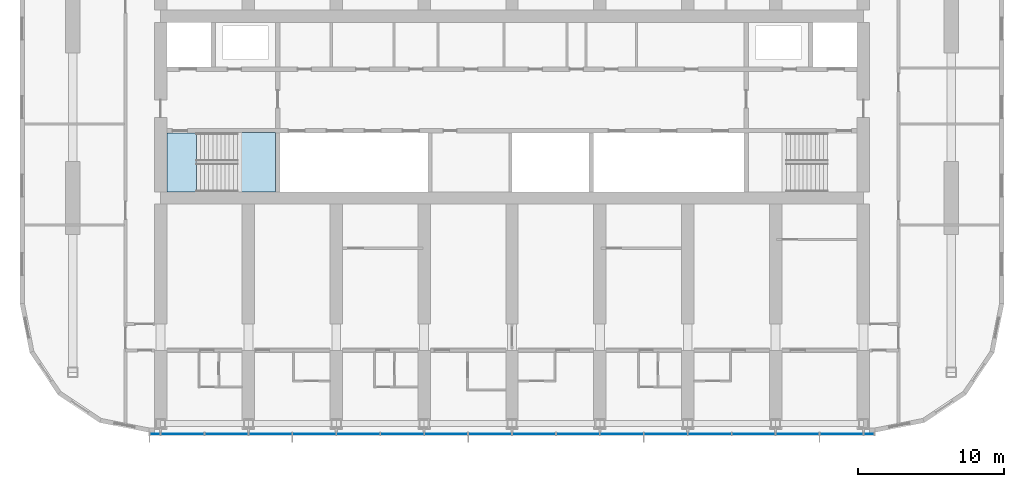
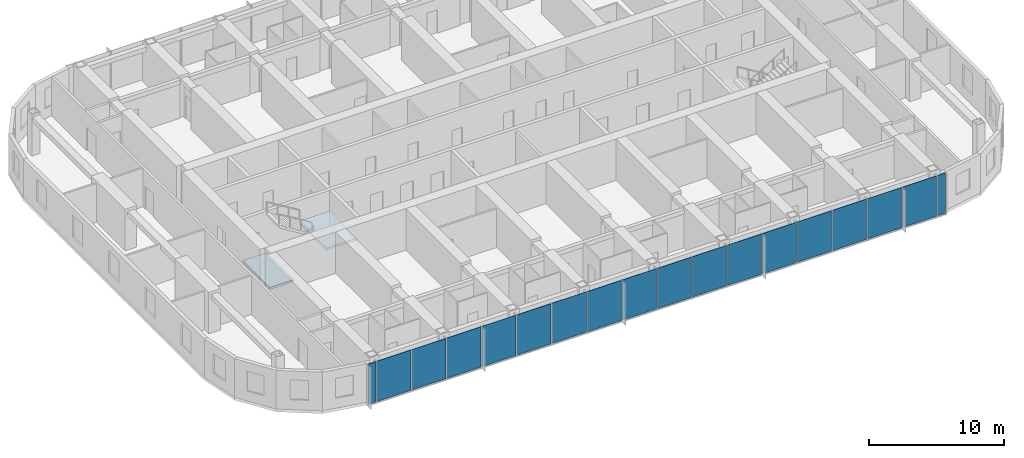
# One storey, part 7 of 22: 18 plates, 2 slabs, 2 elements without a shape of their own.
"""IFC4 building model written with IfcOpenShell, lengths in metres."""

from ifc_helpers import new_model, si_unit, direction, frame, origin, origin_2d, place, context, subcontext, project, spatial, polyline, rectangle, outline, extrude, material, layer, layer_set, type_object, element, aggregate, save


model = new_model("IFC4")

# Units and contexts
model_context = context("Model", 3, precision=1e-05, world=origin(), true_north=direction((0.0, 1.0)))
body_context = subcontext(model_context, "Body", "Model", "MODEL_VIEW")
ifc_project = project(units=[si_unit("LENGTHUNIT", "METRE"), si_unit("AREAUNIT", "SQUARE_METRE"), si_unit("VOLUMEUNIT", "CUBIC_METRE"), si_unit("PLANEANGLEUNIT", "RADIAN"), si_unit("MASSUNIT", "GRAM", prefix="KILO")], contexts=[model_context])

# Site, building, storey
site_placement = place(None, origin())
site = spatial("IfcSite", under=ifc_project, at=site_placement, CompositionType="ELEMENT")
building_placement = place(site_placement, origin())
building = spatial("IfcBuilding", under=site, at=building_placement, Name="Orbita Commons", CompositionType="ELEMENT")
storey_placement = place(building_placement, frame((0.0, 0.0, 156.10009765625)))
storey = spatial("IfcBuildingStorey", under=building, at=storey_placement, Name="L38", CompositionType="ELEMENT", Elevation=156.10009765625)

# Curtain wall, plates
ifc_material_1 = material(Name="Anodised aluminium frame, pale silver", Category="aluminium")
curtain_wall_type = type_object("IfcCurtainWallType", Name="Unitised curtain wall CW-U, full-height vision", PredefinedType="NOTDEFINED", material=ifc_material_1)
curtain_wall_placement = place(storey_placement, origin())
curtain_wall = element("IfcCurtainWall", 1, at=curtain_wall_placement, inside=storey, type_object=curtain_wall_type, Name="Curtain wall south L38", PredefinedType="NOTDEFINED")
ifc_material_2 = material(Name="Clear double glazing", Category="glass")
ifc_layer_1 = layer(ifc_material_2, 0.031982421875)
ifc_layer_set_1 = layer_set([ifc_layer_1], Name="Clear double glazing")
plate_type = type_object("IfcPlateType", Name="Full-height vision panel, clear glazing 32", PredefinedType="CURTAIN_PANEL", material=ifc_layer_set_1)
plate_1_placement = place(storey_placement, frame((17.6201171875, 9.68994140625, -0.150146484375), z_axis=(0.0, 0.0, 1.0), x_axis=(1.0, 0.0, 0.0)))
plate_1 = element("IfcPlate", 2, at=plate_1_placement, type_object=plate_type, Name="Panel 1.1 CW-L38-S", PredefinedType="CURTAIN_PANEL", context=body_context, shape_type="SweptSolid", body=[
    extrude(rectangle(XDim=0.679931640625, YDim=0.031982421875, at=origin_2d()), origin(), (0.0, 0.0, 1.0), 3.64990234375),
])
plate_2_placement = place(storey_placement, frame((19.5, 9.68994140625, -0.150146484375), z_axis=(0.0, 0.0, 1.0), x_axis=(1.0, 0.0, 0.0)))
plate_2 = element("IfcPlate", 3, at=plate_2_placement, type_object=plate_type, Name="Panel 2.1 CW-L38-S", PredefinedType="CURTAIN_PANEL", context=body_context, shape_type="SweptSolid", body=[
    extrude(rectangle(XDim=2.919921875, YDim=0.031982421875, at=origin_2d()), origin(), (0.0, 0.0, 1.0), 3.64990234375),
])
plate_3_placement = place(storey_placement, frame((22.5, 9.68994140625, -0.150146484375), z_axis=(0.0, 0.0, 1.0), x_axis=(1.0, 0.0, 0.0)))
plate_3 = element("IfcPlate", 4, at=plate_3_placement, type_object=plate_type, Name="Panel 3.1 CW-L38-S", PredefinedType="CURTAIN_PANEL", context=body_context, shape_type="SweptSolid", body=[
    extrude(rectangle(XDim=2.919921875, YDim=0.031982421875, at=origin_2d()), origin(), (0.0, 0.0, 1.0), 3.64990234375),
])
plate_4_placement = place(storey_placement, frame((25.5, 9.68994140625, -0.150146484375), z_axis=(0.0, 0.0, 1.0), x_axis=(1.0, 0.0, 0.0)))
plate_4 = element("IfcPlate", 5, at=plate_4_placement, type_object=plate_type, Name="Panel 4.1 CW-L38-S", PredefinedType="CURTAIN_PANEL", context=body_context, shape_type="SweptSolid", body=[
    extrude(rectangle(XDim=2.919921875, YDim=0.031982421875, at=origin_2d()), origin(), (0.0, 0.0, 1.0), 3.64990234375),
])
plate_5_placement = place(storey_placement, frame((28.5, 9.68994140625, -0.150146484375), z_axis=(0.0, 0.0, 1.0), x_axis=(1.0, 0.0, 0.0)))
plate_5 = element("IfcPlate", 6, at=plate_5_placement, type_object=plate_type, Name="Panel 5.1 CW-L38-S", PredefinedType="CURTAIN_PANEL", context=body_context, shape_type="SweptSolid", body=[
    extrude(rectangle(XDim=2.919921875, YDim=0.031982421875, at=origin_2d()), origin(), (0.0, 0.0, 1.0), 3.64990234375),
])
plate_6_placement = place(storey_placement, frame((31.5, 9.68994140625, -0.150146484375), z_axis=(0.0, 0.0, 1.0), x_axis=(1.0, 0.0, 0.0)))
plate_6 = element("IfcPlate", 7, at=plate_6_placement, type_object=plate_type, Name="Panel 6.1 CW-L38-S", PredefinedType="CURTAIN_PANEL", context=body_context, shape_type="SweptSolid", body=[
    extrude(rectangle(XDim=2.919921875, YDim=0.031982421875, at=origin_2d()), origin(), (0.0, 0.0, 1.0), 3.64990234375),
])
plate_7_placement = place(storey_placement, frame((34.5, 9.68994140625, -0.150146484375), z_axis=(0.0, 0.0, 1.0), x_axis=(1.0, 0.0, 0.0)))
plate_7 = element("IfcPlate", 8, at=plate_7_placement, type_object=plate_type, Name="Panel 7.1 CW-L38-S", PredefinedType="CURTAIN_PANEL", context=body_context, shape_type="SweptSolid", body=[
    extrude(rectangle(XDim=2.919921875, YDim=0.031982421875, at=origin_2d()), origin(), (0.0, 0.0, 1.0), 3.64990234375),
])
plate_8_placement = place(storey_placement, frame((37.5, 9.68994140625, -0.150146484375), z_axis=(0.0, 0.0, 1.0), x_axis=(1.0, 0.0, 0.0)))
plate_8 = element("IfcPlate", 9, at=plate_8_placement, type_object=plate_type, Name="Panel 8.1 CW-L38-S", PredefinedType="CURTAIN_PANEL", context=body_context, shape_type="SweptSolid", body=[
    extrude(rectangle(XDim=2.919921875, YDim=0.031982421875, at=origin_2d()), origin(), (0.0, 0.0, 1.0), 3.64990234375),
])
plate_9_placement = place(storey_placement, frame((40.5, 9.68994140625, -0.150146484375), z_axis=(0.0, 0.0, 1.0), x_axis=(1.0, 0.0, 0.0)))
plate_9 = element("IfcPlate", 10, at=plate_9_placement, type_object=plate_type, Name="Panel 9.1 CW-L38-S", PredefinedType="CURTAIN_PANEL", context=body_context, shape_type="SweptSolid", body=[
    extrude(rectangle(XDim=2.919921875, YDim=0.031982421875, at=origin_2d()), origin(), (0.0, 0.0, 1.0), 3.64990234375),
])
plate_10_placement = place(storey_placement, frame((43.5, 9.68994140625, -0.150146484375), z_axis=(0.0, 0.0, 1.0), x_axis=(1.0, 0.0, 0.0)))
plate_10 = element("IfcPlate", 11, at=plate_10_placement, type_object=plate_type, Name="Panel 10.1 CW-L38-S", PredefinedType="CURTAIN_PANEL", context=body_context, shape_type="SweptSolid", body=[
    extrude(rectangle(XDim=2.919921875, YDim=0.031982421875, at=origin_2d()), origin(), (0.0, 0.0, 1.0), 3.64990234375),
])
plate_11_placement = place(storey_placement, frame((46.5, 9.68994140625, -0.150146484375), z_axis=(0.0, 0.0, 1.0), x_axis=(1.0, 0.0, 0.0)))
plate_11 = element("IfcPlate", 12, at=plate_11_placement, type_object=plate_type, Name="Panel 11.1 CW-L38-S", PredefinedType="CURTAIN_PANEL", context=body_context, shape_type="SweptSolid", body=[
    extrude(rectangle(XDim=2.919921875, YDim=0.031982421875, at=origin_2d()), origin(), (0.0, 0.0, 1.0), 3.64990234375),
])
plate_12_placement = place(storey_placement, frame((49.5, 9.68994140625, -0.150146484375), z_axis=(0.0, 0.0, 1.0), x_axis=(1.0, 0.0, 0.0)))
plate_12 = element("IfcPlate", 13, at=plate_12_placement, type_object=plate_type, Name="Panel 12.1 CW-L38-S", PredefinedType="CURTAIN_PANEL", context=body_context, shape_type="SweptSolid", body=[
    extrude(rectangle(XDim=2.919921875, YDim=0.031982421875, at=origin_2d()), origin(), (0.0, 0.0, 1.0), 3.64990234375),
])
plate_13_placement = place(storey_placement, frame((52.5, 9.68994140625, -0.150146484375), z_axis=(0.0, 0.0, 1.0), x_axis=(1.0, 0.0, 0.0)))
plate_13 = element("IfcPlate", 14, at=plate_13_placement, type_object=plate_type, Name="Panel 13.1 CW-L38-S", PredefinedType="CURTAIN_PANEL", context=body_context, shape_type="SweptSolid", body=[
    extrude(rectangle(XDim=2.919921875, YDim=0.031982421875, at=origin_2d()), origin(), (0.0, 0.0, 1.0), 3.64990234375),
])
plate_14_placement = place(storey_placement, frame((55.5, 9.68994140625, -0.150146484375), z_axis=(0.0, 0.0, 1.0), x_axis=(1.0, 0.0, 0.0)))
plate_14 = element("IfcPlate", 15, at=plate_14_placement, type_object=plate_type, Name="Panel 14.1 CW-L38-S", PredefinedType="CURTAIN_PANEL", context=body_context, shape_type="SweptSolid", body=[
    extrude(rectangle(XDim=2.919921875, YDim=0.031982421875, at=origin_2d()), origin(), (0.0, 0.0, 1.0), 3.64990234375),
])
plate_15_placement = place(storey_placement, frame((58.5, 9.68994140625, -0.150146484375), z_axis=(0.0, 0.0, 1.0), x_axis=(1.0, 0.0, 0.0)))
plate_15 = element("IfcPlate", 16, at=plate_15_placement, type_object=plate_type, Name="Panel 15.1 CW-L38-S", PredefinedType="CURTAIN_PANEL", context=body_context, shape_type="SweptSolid", body=[
    extrude(rectangle(XDim=2.919921875, YDim=0.031982421875, at=origin_2d()), origin(), (0.0, 0.0, 1.0), 3.64990234375),
])
plate_16_placement = place(storey_placement, frame((61.5, 9.68994140625, -0.150146484375), z_axis=(0.0, 0.0, 1.0), x_axis=(1.0, 0.0, 0.0)))
plate_16 = element("IfcPlate", 17, at=plate_16_placement, type_object=plate_type, Name="Panel 16.1 CW-L38-S", PredefinedType="CURTAIN_PANEL", context=body_context, shape_type="SweptSolid", body=[
    extrude(rectangle(XDim=2.919921875, YDim=0.031982421875, at=origin_2d()), origin(), (0.0, 0.0, 1.0), 3.64990234375),
])
plate_17_placement = place(storey_placement, frame((64.5, 9.68994140625, -0.150146484375), z_axis=(0.0, 0.0, 1.0), x_axis=(1.0, 0.0, 0.0)))
plate_17 = element("IfcPlate", 18, at=plate_17_placement, type_object=plate_type, Name="Panel 17.1 CW-L38-S", PredefinedType="CURTAIN_PANEL", context=body_context, shape_type="SweptSolid", body=[
    extrude(rectangle(XDim=2.919921875, YDim=0.031982421875, at=origin_2d()), origin(), (0.0, 0.0, 1.0), 3.64990234375),
])
plate_18_placement = place(storey_placement, frame((66.3798828125, 9.68994140625, -0.150146484375), z_axis=(0.0, 0.0, 1.0), x_axis=(1.0, 0.0, 0.0)))
plate_18 = element("IfcPlate", 19, at=plate_18_placement, type_object=plate_type, Name="Panel 18.1 CW-L38-S", PredefinedType="CURTAIN_PANEL", context=body_context, shape_type="SweptSolid", body=[
    extrude(rectangle(XDim=0.679931640625, YDim=0.031982421875, at=origin_2d()), origin(), (0.0, 0.0, 1.0), 3.64990234375),
])
aggregate(curtain_wall, [plate_1, plate_2, plate_3, plate_4, plate_5, plate_6, plate_7, plate_8, plate_9, plate_10, plate_11, plate_12, plate_13, plate_14, plate_15, plate_16, plate_17, plate_18])

# Stair, slabs
ifc_material_3 = material(Name="Precast concrete C40/50", Category="concrete")
stair_type = type_object("IfcStairType", Name="Exit stair S1 2 flights 11 risers 170", PredefinedType="HALF_TURN_STAIR", material=ifc_material_3)
stair_placement = place(storey_placement, origin())
stair = element("IfcStair", 20, at=stair_placement, inside=storey, type_object=stair_type, Name="Exit stair S1 L38", PredefinedType="HALF_TURN_STAIR")
ifc_material_4 = material(Name="Concrete C40/50", Category="concrete")
ifc_layer_2 = layer(ifc_material_4, 0.199951171875)
ifc_layer_set_2 = layer_set([ifc_layer_2], Name="Concrete C40/50")
slab_type = type_object("IfcSlabType", Name="Stair landing 200", PredefinedType="LANDING", material=ifc_layer_set_2)
slab_1_placement = place(storey_placement, frame((0.0, 0.0, -0.2001953125)))
slab_1 = element("IfcSlab", 21, at=slab_1_placement, type_object=slab_type, Name="S1 landing 1", PredefinedType="LANDING", context=body_context, shape_type="SweptSolid", body=[
    extrude(outline(polyline([(18.425048828125, 26.22509765625), (20.449951171875, 26.22509765625), (20.449951171875, 30.25), (18.425048828125, 30.25), (18.425048828125, 26.22509765625)])), origin(), (0.0, 0.0, 1.0), 0.2001953125),
])
slab_2_placement = place(storey_placement, frame((0.0, 0.0, 1.6748046875)))
slab_2 = element("IfcSlab", 22, at=slab_2_placement, type_object=slab_type, Name="S1 landing 2", PredefinedType="LANDING", context=body_context, shape_type="SweptSolid", body=[
    extrude(outline(polyline([(23.25, 26.2099609375), (25.864990234375, 26.2099609375), (25.864990234375, 30.264892578125), (23.25, 30.264892578125), (23.25, 26.2099609375)])), origin(), (0.0, 0.0, 1.0), 0.2001953125),
])
aggregate(stair, [slab_1, slab_2])

save(model, "model.ifc")
